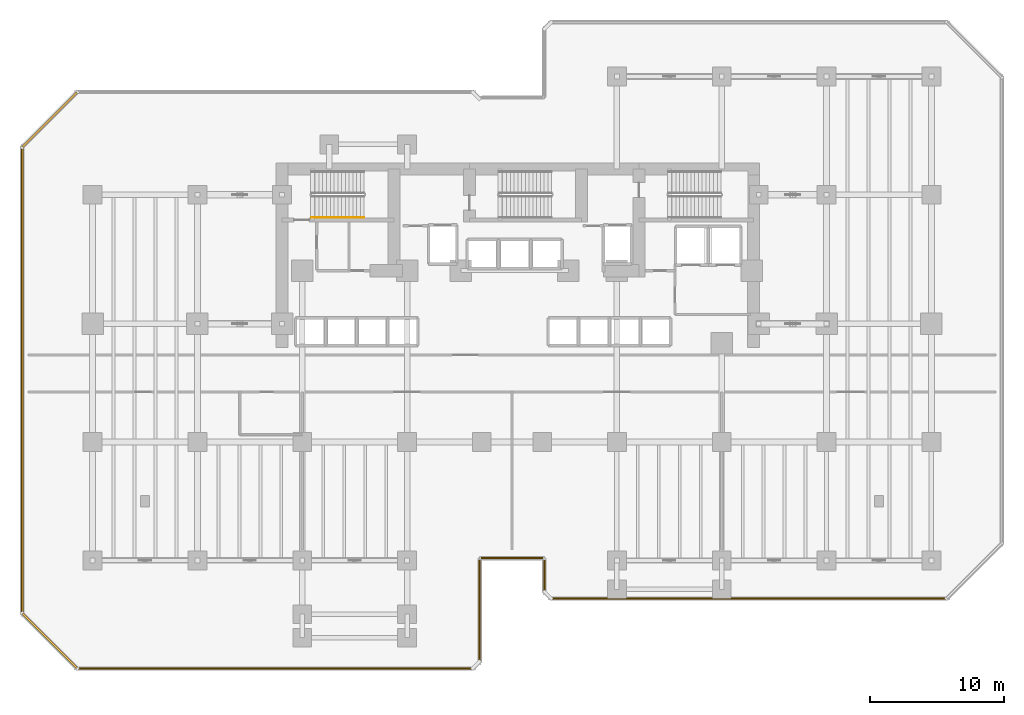
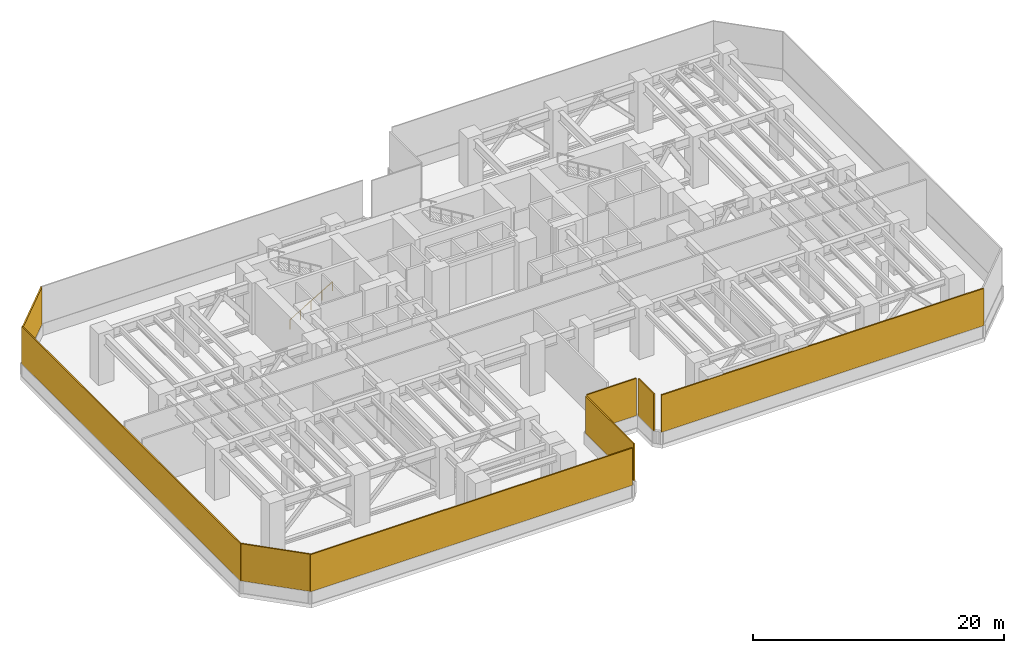
# One storey, part 10 of 13: 8 shading devices, 1 railing.
"""IFC4 building model written with IfcOpenShell, lengths in metres."""

from ifc_helpers import new_model, si_unit, direction, frame, origin, origin_2d, place, context, subcontext, project, spatial, rectangle, circle, extrude, material, layer, layer_set, type_object, element, save


model = new_model("IFC4")

# Units and contexts
model_context = context("Model", 3, precision=1e-05, world=origin(), true_north=direction((0.0, 1.0)))
body_context = subcontext(model_context, "Body", "Model", "MODEL_VIEW")
ifc_project = project(units=[si_unit("LENGTHUNIT", "METRE"), si_unit("AREAUNIT", "SQUARE_METRE"), si_unit("VOLUMEUNIT", "CUBIC_METRE"), si_unit("PLANEANGLEUNIT", "RADIAN"), si_unit("MASSUNIT", "GRAM", prefix="KILO")], contexts=[model_context])

# Site, building, storey
site_placement = place(None, origin())
site = spatial("IfcSite", under=ifc_project, at=site_placement, CompositionType="ELEMENT")
building_placement = place(site_placement, origin())
building = spatial("IfcBuilding", under=site, at=building_placement, Name="Kestravale Grand Hotel", CompositionType="ELEMENT")
storey_placement = place(building_placement, frame((0.0, 0.0, 75.39990234375)))
storey = spatial("IfcBuildingStorey", under=building, at=storey_placement, Name="L18", CompositionType="ELEMENT", Elevation=75.39990234375)

# Railing
ifc_material_1 = material(Name="Brushed stainless steel wall handrail", Category="steel")
railing_type = type_object("IfcRailingType", Name="RL-ST-HND900", PredefinedType="HANDRAIL", material=ifc_material_1)
railing_placement = place(storey_placement, frame((24.080078125, 36.699951171875, 0.166748046875)))
element("IfcRailing", 1, at=railing_placement, inside=storey, type_object=railing_type, Name="L18 ST-1 stair handrail 1", PredefinedType="HANDRAIL", context=body_context, shape_type="SweptSolid", body=[
    extrude(circle(Radius=0.02392578125, at=origin_2d()), frame((0.0, 0.0, 0.8759765625), z_axis=(0.859296244711, 0.0, 0.511478214419), x_axis=(0.0, 1.0, 0.0)), (0.0, 0.0, 1.0), 4.561767578125),
    extrude(circle(Radius=0.02099609375, at=origin_2d()), origin(), (0.0, 0.0, 1.0), 0.851806640625),
    extrude(circle(Radius=0.02099609375, at=origin_2d()), frame((0.97998046875, 0.0, 0.583251953125)), (0.0, 0.0, 1.0), 0.851806640625),
    extrude(circle(Radius=0.02099609375, at=origin_2d()), frame((1.9599609375, 0.0, 1.16650390625)), (0.0, 0.0, 1.0), 0.851806640625),
    extrude(circle(Radius=0.02099609375, at=origin_2d()), frame((2.93994140625, 0.0, 1.75)), (0.0, 0.0, 1.0), 0.851806640625),
    extrude(circle(Radius=0.02099609375, at=origin_2d()), frame((3.919921875, 0.0, 2.333251953125)), (0.0, 0.0, 1.0), 0.851806640625),
])

# Shading devices
ifc_material_2 = material(Name="Anodised bronze storm-proof acoustic ventilation louvre", Category="aluminium")
ifc_layer = layer(ifc_material_2, 0.1201171875)
ifc_layer_set = layer_set([ifc_layer], Name="SHD-LVR-REF")
shading_device_type = type_object("IfcShadingDeviceType", Name="SHD-LVR-REF", PredefinedType="JALOUSIE", material=ifc_layer_set)
shading_device_1_placement = place(storey_placement, frame((21.375, 3.169921875, 1.1298828125), z_axis=(0.0, 0.0, 1.0), x_axis=(1.0, 0.0, 0.0)))
element("IfcShadingDevice", 2, at=shading_device_1_placement, inside=storey, type_object=shading_device_type, Name="L18 mechanical refuge chevron louvre 1", PredefinedType="JALOUSIE", context=body_context, shape_type="SweptSolid", body=[
    extrude(rectangle(XDim=29.590087890625, YDim=0.1201171875, at=origin_2d()), origin(), (0.0, 0.0, 1.0), 3.610107421875),
])
shading_device_2_placement = place(storey_placement, frame((36.580078125, 7.39990234375, 1.1298828125), z_axis=(0.0, 0.0, 1.0), x_axis=(0.0, 1.0, 0.0)))
element("IfcShadingDevice", 3, at=shading_device_2_placement, inside=storey, type_object=shading_device_type, Name="L18 mechanical refuge chevron louvre 3", PredefinedType="JALOUSIE", context=body_context, shape_type="SweptSolid", body=[
    extrude(rectangle(XDim=7.639892578125, YDim=0.1201171875, at=origin_2d()), origin(), (0.0, 0.0, 1.0), 3.610107421875),
])
shading_device_3_placement = place(storey_placement, frame((39.0, 11.3701171875, 1.1298828125), z_axis=(0.0, 0.0, 1.0), x_axis=(1.0, 0.0, 0.0)))
element("IfcShadingDevice", 4, at=shading_device_3_placement, inside=storey, type_object=shading_device_type, Name="L18 mechanical refuge chevron louvre 4", PredefinedType="JALOUSIE", context=body_context, shape_type="SweptSolid", body=[
    extrude(rectangle(XDim=4.5400390625, YDim=0.1201171875, at=origin_2d()), origin(), (0.0, 0.0, 1.0), 3.610107421875),
])
shading_device_4_placement = place(storey_placement, frame((41.419921875, 10.0, 1.1298828125), z_axis=(0.0, 0.0, 1.0), x_axis=(0.0, -1.0, 0.0)))
element("IfcShadingDevice", 5, at=shading_device_4_placement, inside=storey, type_object=shading_device_type, Name="L18 mechanical refuge chevron louvre 5", PredefinedType="JALOUSIE", context=body_context, shape_type="SweptSolid", body=[
    extrude(rectangle(XDim=2.43994140625, YDim=0.1201171875, at=origin_2d()), origin(), (0.0, 0.0, 1.0), 3.610107421875),
])
shading_device_5_placement = place(storey_placement, frame((56.625, 8.3701171875, 1.1298828125), z_axis=(0.0, 0.0, 1.0), x_axis=(1.0, 0.0, 0.0)))
element("IfcShadingDevice", 6, at=shading_device_5_placement, inside=storey, type_object=shading_device_type, Name="L18 mechanical refuge chevron louvre 7", PredefinedType="JALOUSIE", context=body_context, shape_type="SweptSolid", body=[
    extrude(rectangle(XDim=29.590087890625, YDim=0.1201171875, at=origin_2d()), origin(), (0.0, 0.0, 1.0), 3.610107421875),
])
shading_device_6_placement = place(storey_placement, frame((4.6201171875, 43.979736328125, 1.1298828125), z_axis=(0.0, 0.0, 1.0), x_axis=(-0.707106781187, -0.707106781187, 0.0)))
element("IfcShadingDevice", 7, at=shading_device_6_placement, inside=storey, type_object=shading_device_type, Name="L18 mechanical refuge chevron louvre 18", PredefinedType="JALOUSIE", context=body_context, shape_type="SweptSolid", body=[
    extrude(rectangle(XDim=5.7197265625, YDim=0.1201171875, at=origin_2d()), origin(), (0.0, 0.0, 1.0), 3.610107421875),
])
shading_device_7_placement = place(storey_placement, frame((2.570068359375, 24.60009765625, 1.1298828125), z_axis=(0.0, 0.0, 1.0), x_axis=(0.0, -1.0, 0.0)))
element("IfcShadingDevice", 8, at=shading_device_7_placement, inside=storey, type_object=shading_device_type, Name="L18 mechanical refuge chevron louvre 19", PredefinedType="JALOUSIE", context=body_context, shape_type="SweptSolid", body=[
    extrude(rectangle(XDim=34.840087890625, YDim=0.1201171875, at=origin_2d()), origin(), (0.0, 0.0, 1.0), 3.610107421875),
])
shading_device_8_placement = place(storey_placement, frame((4.6201171875, 5.22021484375, 1.1298828125), z_axis=(0.0, 0.0, 1.0), x_axis=(0.707106781187, -0.707106781187, 0.0)))
element("IfcShadingDevice", 9, at=shading_device_8_placement, inside=storey, type_object=shading_device_type, Name="L18 mechanical refuge chevron louvre 20", PredefinedType="JALOUSIE", context=body_context, shape_type="SweptSolid", body=[
    extrude(rectangle(XDim=5.7197265625, YDim=0.1201171875, at=origin_2d()), origin(), (0.0, 0.0, 1.0), 3.610107421875),
])

save(model, "model.ifc")
